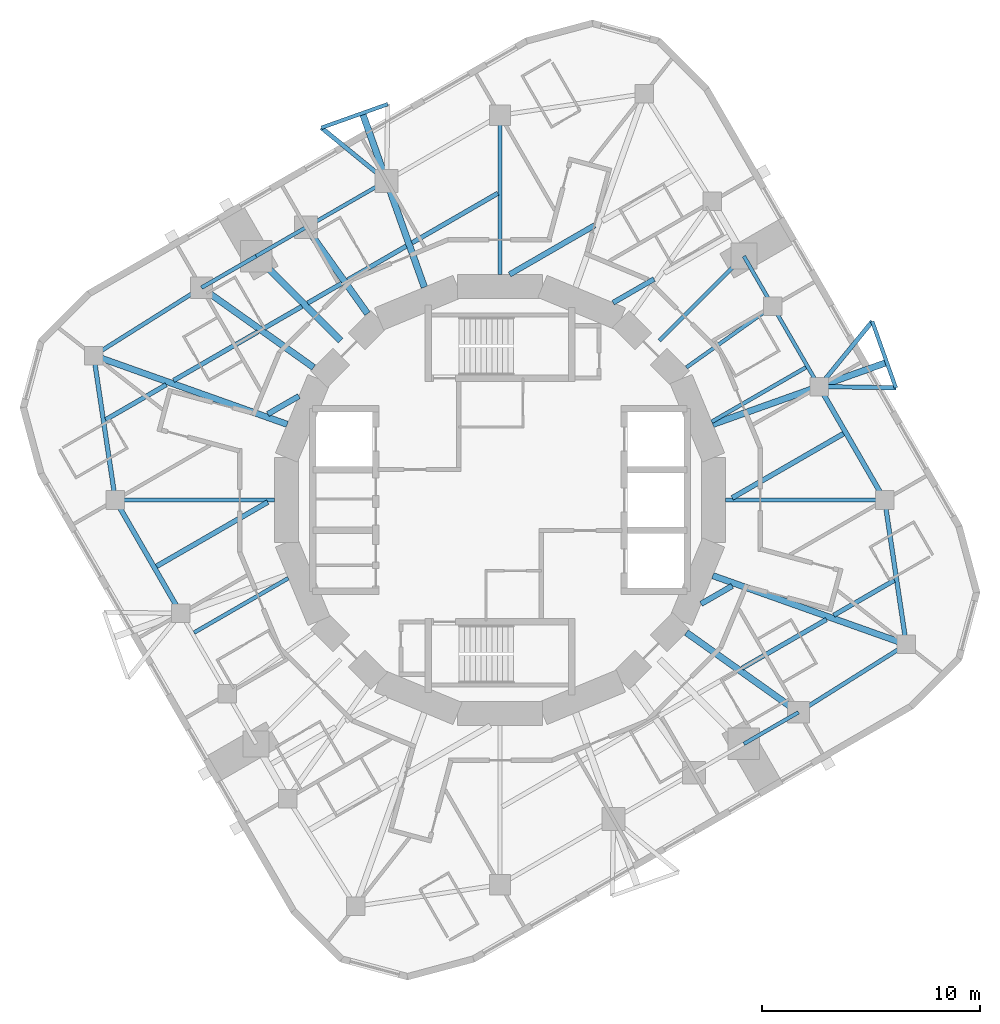
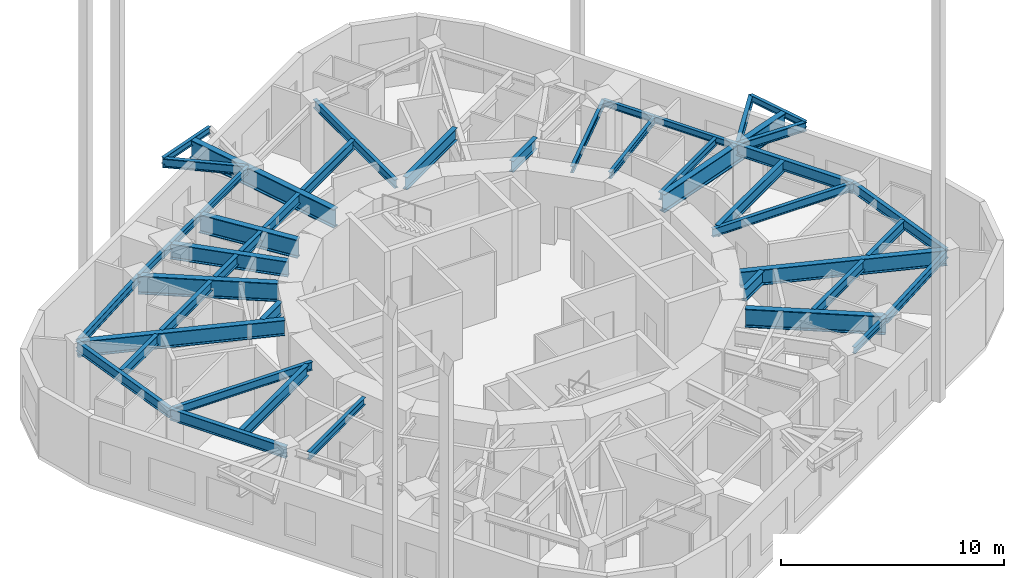
# One storey, part 2 of 10: 46 beams.
"""IFC4 building model written with IfcOpenShell, lengths in metres."""

from ifc_helpers import new_model, si_unit, direction, frame, origin, origin_2d, place, context, subcontext, project, spatial, i_section, extrude, material, material_profile, profile_set, type_object, element, save


model = new_model("IFC4")

# Units and contexts
model_context = context("Model", 3, precision=1e-05, world=origin(), true_north=direction((0.0, 1.0)))
body_context = subcontext(model_context, "Body", "Model", "MODEL_VIEW")
ifc_project = project(units=[si_unit("LENGTHUNIT", "METRE"), si_unit("AREAUNIT", "SQUARE_METRE"), si_unit("VOLUMEUNIT", "CUBIC_METRE"), si_unit("PLANEANGLEUNIT", "RADIAN"), si_unit("MASSUNIT", "GRAM", prefix="KILO")], contexts=[model_context])

# Site, building, storey
site_placement = place(None, origin())
site = spatial("IfcSite", under=ifc_project, at=site_placement, CompositionType="ELEMENT")
building_placement = place(site_placement, origin())
building = spatial("IfcBuilding", under=site, at=building_placement, Name="Nakasero Lantern House", CompositionType="ELEMENT")
storey_placement = place(building_placement, frame((0.0, 0.0, 223.10009765625)))
storey = spatial("IfcBuildingStorey", under=building, at=storey_placement, Name="L54", CompositionType="ELEMENT", Elevation=223.10009765625)

# Beams
ifc_material_1 = material(Name="Steel S355", Category="steel")
ifc_material_profile_1 = material_profile(ifc_material_1, i_section(OverallWidth=0.199462890625, OverallDepth=0.491943359375, WebThickness=0.01806640625, FlangeThickness=0.031982421875, FilletRadius=0.01025390625, at=origin_2d()), Name="UB 457x191x161")
ifc_profile_set_1 = profile_set([ifc_material_profile_1], Name="Steel S355")
beam_type_1 = type_object("IfcBeamType", Name="Balcony splay beam UB 457x191x161", PredefinedType="BEAM", material=ifc_profile_set_1)
beam_1_placement = place(storey_placement, frame((14.657958984375, 5.211669921875, 3.40380859375), z_axis=(0.632127727159, 0.774864205236, 0.0), x_axis=(-0.774864205236, 0.632127727159, 0.0)))
element("IfcBeam", 1, at=beam_1_placement, inside=storey, type_object=beam_type_1, Name="Balcony splay beam L55 B6-C04A", PredefinedType="BEAM", context=body_context, shape_type="SweptSolid", body=[
    extrude(i_section(OverallWidth=0.199462890625, OverallDepth=0.491943359375, WebThickness=0.01806640625, FlangeThickness=0.031982421875, FilletRadius=0.01025390625, at=origin_2d()), origin(), (0.0, 0.0, 1.0), 3.858642578125),
])
beam_2_placement = place(storey_placement, frame((14.657958984375, 5.211669921875, 3.40380859375), z_axis=(0.99985827803, -0.016835196893, 0.0), x_axis=(0.016835196893, 0.99985827803, 0.0)))
element("IfcBeam", 2, at=beam_2_placement, inside=storey, type_object=beam_type_1, Name="Balcony splay beam L55 B6-C04B", PredefinedType="BEAM", context=body_context, shape_type="SweptSolid", body=[
    extrude(i_section(OverallWidth=0.199462890625, OverallDepth=0.491943359375, WebThickness=0.01806640625, FlangeThickness=0.031982421875, FilletRadius=0.01025390625, at=origin_2d()), origin(), (0.0, 0.0, 1.0), 3.52392578125),
])
beam_3_placement = place(storey_placement, frame((-5.211669921875, 14.657958984375, 3.40380859375), z_axis=(-0.774864205236, 0.632127727159, 0.0), x_axis=(-0.632127727159, -0.774864205236, 0.0)))
element("IfcBeam", 3, at=beam_3_placement, inside=storey, type_object=beam_type_1, Name="Balcony splay beam L55 B6-C10A", PredefinedType="BEAM", context=body_context, shape_type="SweptSolid", body=[
    extrude(i_section(OverallWidth=0.199462890625, OverallDepth=0.491943359375, WebThickness=0.01806640625, FlangeThickness=0.031982421875, FilletRadius=0.01025390625, at=origin_2d()), origin(), (0.0, 0.0, 1.0), 3.858642578125),
])
ifc_material_2 = material(Name="Steel S355", Category="steel")
ifc_material_profile_2 = material_profile(ifc_material_2, i_section(OverallWidth=0.17138671875, OverallDepth=0.35498046875, WebThickness=0.00732421875, FlangeThickness=0.011474609375, FilletRadius=0.01025390625, at=origin_2d()), Name="UB 356x171x51")
ifc_profile_set_2 = profile_set([ifc_material_profile_2], Name="Steel S355")
beam_type_2 = type_object("IfcBeamType", Name="Balcony tie beam UB 356x171x51", PredefinedType="BEAM", material=ifc_profile_set_2)
for number, where, z_axis, x_axis, name in (
    (4, (17.09716796875, 8.20166015625, 3.472412109375), (0.335017108852, -0.942212044487, 0.0), (0.942212044487, 0.335017108852, 0.0), "Balcony tie beam L55 B6-C04"),
    (5, (-8.20166015625, 17.09716796875, 3.472412109375), (0.942212044487, 0.335017108852, 0.0), (-0.335017108852, 0.942212044487, 0.0), "Balcony tie beam L55 B6-C10"),
):
    element("IfcBeam", number, at=place(storey_placement, frame(where, z_axis=z_axis, x_axis=x_axis)), inside=storey, type_object=beam_type_2, Name=name, PredefinedType="BEAM", context=body_context, shape_type="SweptSolid", body=[
        extrude(i_section(OverallWidth=0.17138671875, OverallDepth=0.35498046875, WebThickness=0.00732421875, FlangeThickness=0.011474609375, FilletRadius=0.01025390625, at=origin_2d()), origin(), (0.0, 0.0, 1.0), 3.236328125),
    ])
ifc_material_3 = material(Name="Steel S355", Category="steel")
ifc_material_profile_3 = material_profile(ifc_material_3, i_section(OverallWidth=0.177978515625, OverallDepth=0.406494140625, WebThickness=0.0078125, FlangeThickness=0.0126953125, FilletRadius=0.01025390625, at=origin_2d()), Name="UB 406x178x60")
ifc_profile_set_3 = profile_set([ifc_material_profile_3], Name="Steel S355")
beam_type_3 = type_object("IfcBeamType", Name="Infill beam UB 406x178x60", PredefinedType="JOIST", material=ifc_profile_set_3)
for number, where, z_axis, x_axis, name in (
    (6, (9.72314453125, 3.5927734375, 3.44677734375), (0.866018808352, 0.500011423449, 0.0), (-0.500011423449, 0.866018808352, 0.0), "Infill beam L55 06.1"),
    (7, (-14.051025390625, -6.091552734375, 3.44677734375), (0.866018808352, 0.500011423449, 0.0), (-0.500011423449, 0.866018808352, 0.0), "Infill beam L55 07.1"),
):
    element("IfcBeam", number, at=place(storey_placement, frame(where, z_axis=z_axis, x_axis=x_axis)), inside=storey, type_object=beam_type_3, Name=name, PredefinedType="JOIST", context=body_context, shape_type="SweptSolid", body=[
        extrude(i_section(OverallWidth=0.177978515625, OverallDepth=0.406494140625, WebThickness=0.0078125, FlangeThickness=0.0126953125, FilletRadius=0.01025390625, at=origin_2d()), origin(), (0.0, 0.0, 1.0), 4.99755859375),
    ])
ifc_material_4 = material(Name="Steel S355", Category="steel")
ifc_material_profile_4 = material_profile(ifc_material_4, i_section(OverallWidth=0.2099609375, OverallDepth=0.53662109375, WebThickness=0.0107421875, FlangeThickness=0.017333984375, FilletRadius=0.0126953125, at=origin_2d()), Name="UB 533x210x101")
ifc_profile_set_4 = profile_set([ifc_material_profile_4], Name="Steel S355")
beam_type_4 = type_object("IfcBeamType", Name="Infill beam UB 533x210x101", PredefinedType="JOIST", material=ifc_profile_set_4)
beam_4_placement = place(storey_placement, frame((11.1220703125, -7.7236328125, 3.381591796875), z_axis=(0.866034716616, 0.499983869355, 0.0), x_axis=(-0.499983869355, 0.866034716616, 0.0)))
element("IfcBeam", 8, at=beam_4_placement, inside=storey, type_object=beam_type_4, Name="Infill beam L55 03.5", PredefinedType="JOIST", context=body_context, shape_type="SweptSolid", body=[
    extrude(i_section(OverallWidth=0.2099609375, OverallDepth=0.53662109375, WebThickness=0.0107421875, FlangeThickness=0.017333984375, FilletRadius=0.0126953125, at=origin_2d()), origin(), (0.0, 0.0, 1.0), 4.473388671875),
])
for number, where, z_axis, x_axis, name in (
    (9, (15.32861328125, -5.294921875, 3.381591796875), (0.866033858845, 0.49998535512, 0.0), (-0.49998535512, 0.866033858845, 0.0), "Infill beam L55 03.6"),
    (10, (-18.11328125, 3.687255859375, 3.381591796875), (0.866033858845, 0.49998535512, 0.0), (-0.49998535512, 0.866033858845, 0.0), "Infill beam L55 10.1"),
):
    element("IfcBeam", number, at=place(storey_placement, frame(where, z_axis=z_axis, x_axis=x_axis)), inside=storey, type_object=beam_type_4, Name=name, PredefinedType="JOIST", context=body_context, shape_type="SweptSolid", body=[
        extrude(i_section(OverallWidth=0.2099609375, OverallDepth=0.53662109375, WebThickness=0.0107421875, FlangeThickness=0.017333984375, FilletRadius=0.0126953125, at=origin_2d()), origin(), (0.0, 0.0, 1.0), 3.21533203125),
    ])
beam_5_placement = place(storey_placement, frame((-14.99609375, 5.487060546875, 3.381591796875), z_axis=(0.866018397847, 0.500012134443, 0.0), x_axis=(-0.500012134443, 0.866018397847, 0.0)))
element("IfcBeam", 11, at=beam_5_placement, inside=storey, type_object=beam_type_4, Name="Infill beam L55 10.2", PredefinedType="JOIST", context=body_context, shape_type="SweptSolid", body=[
    extrude(i_section(OverallWidth=0.2099609375, OverallDepth=0.53662109375, WebThickness=0.0107421875, FlangeThickness=0.017333984375, FilletRadius=0.0126953125, at=origin_2d()), origin(), (0.0, 0.0, 1.0), 4.474609375),
])
beam_6_placement = place(storey_placement, frame((-10.83544921875, 7.88916015625, 3.381591796875), z_axis=(0.866039626416, 0.499975364871, 0.0), x_axis=(-0.499975364871, 0.866039626416, 0.0)))
element("IfcBeam", 12, at=beam_6_placement, inside=storey, type_object=beam_type_4, Name="Infill beam L55 10.3", PredefinedType="JOIST", context=body_context, shape_type="SweptSolid", body=[
    extrude(i_section(OverallWidth=0.2099609375, OverallDepth=0.53662109375, WebThickness=0.0107421875, FlangeThickness=0.017333984375, FilletRadius=0.0126953125, at=origin_2d()), origin(), (0.0, 0.0, 1.0), 2.00537109375),
])
beam_7_placement = place(storey_placement, frame((-8.83642578125, 9.043212890625, 3.381591796875), z_axis=(0.865977542148, 0.500082889625, 0.0), x_axis=(-0.500082889625, 0.865977542148, 0.0)))
element("IfcBeam", 13, at=beam_7_placement, inside=storey, type_object=beam_type_4, Name="Infill beam L55 10.4", PredefinedType="JOIST", context=body_context, shape_type="SweptSolid", body=[
    extrude(i_section(OverallWidth=0.2099609375, OverallDepth=0.53662109375, WebThickness=0.0107421875, FlangeThickness=0.017333984375, FilletRadius=0.0126953125, at=origin_2d()), origin(), (0.0, 0.0, 1.0), 1.817626953125),
])
beam_8_placement = place(storey_placement, frame((-6.999755859375, 10.103759765625, 3.381591796875), z_axis=(0.866022192502, 0.500005562063, 0.0), x_axis=(-0.500005562063, 0.866022192502, 0.0)))
element("IfcBeam", 14, at=beam_8_placement, inside=storey, type_object=beam_type_4, Name="Infill beam L55 10.5", PredefinedType="JOIST", context=body_context, shape_type="SweptSolid", body=[
    extrude(i_section(OverallWidth=0.2099609375, OverallDepth=0.53662109375, WebThickness=0.0107421875, FlangeThickness=0.017333984375, FilletRadius=0.0126953125, at=origin_2d()), origin(), (0.0, 0.0, 1.0), 3.1103515625),
])
beam_9_placement = place(storey_placement, frame((-4.039306640625, 11.81298828125, 3.381591796875), z_axis=(0.866023985275, 0.500002456923, 0.0), x_axis=(-0.500002456923, 0.866023985275, 0.0)))
element("IfcBeam", 15, at=beam_9_placement, inside=storey, type_object=beam_type_4, Name="Infill beam L55 10.6", PredefinedType="JOIST", context=body_context, shape_type="SweptSolid", body=[
    extrude(i_section(OverallWidth=0.2099609375, OverallDepth=0.53662109375, WebThickness=0.0107421875, FlangeThickness=0.017333984375, FilletRadius=0.0126953125, at=origin_2d()), origin(), (0.0, 0.0, 1.0), 4.5537109375),
])
ifc_material_5 = material(Name="Steel S355", Category="steel")
ifc_material_profile_5 = material_profile(ifc_material_5, i_section(OverallWidth=0.22900390625, OverallDepth=0.6123046875, WebThickness=0.011962890625, FlangeThickness=0.01953125, FilletRadius=0.0126953125, at=origin_2d()), Name="UB 610x229x125")
ifc_profile_set_5 = profile_set([ifc_material_profile_5], Name="Steel S355")
beam_type_5 = type_object("IfcBeamType", Name="Infill beam UB 610x229x125", PredefinedType="JOIST", material=ifc_profile_set_5)
for number, where, z_axis, x_axis, name in (
    (16, (10.66455078125, 0.094970703125, 3.34375), (0.866025091885, 0.500000540226, 0.0), (-0.500000540226, 0.866025091885, 0.0), "Infill beam L55 05.3"),
    (17, (-15.776123046875, -3.046142578125, 3.34375), (0.866025091885, 0.500000540226, 0.0), (-0.500000540226, 0.866025091885, 0.0), "Infill beam L55 08.1"),
):
    element("IfcBeam", number, at=place(storey_placement, frame(where, z_axis=z_axis, x_axis=x_axis)), inside=storey, type_object=beam_type_5, Name=name, PredefinedType="JOIST", context=body_context, shape_type="SweptSolid", body=[
        extrude(i_section(OverallWidth=0.22900390625, OverallDepth=0.6123046875, WebThickness=0.011962890625, FlangeThickness=0.01953125, FilletRadius=0.0126953125, at=origin_2d()), origin(), (0.0, 0.0, 1.0), 5.90234375),
    ])
beam_10_placement = place(storey_placement, frame((5.19287109375, 9.060302734375, 3.34375), z_axis=(0.866043427695, 0.499968780372, 0.0), x_axis=(-0.499968780372, 0.866043427695, 0.0)))
element("IfcBeam", 18, at=beam_10_placement, inside=storey, type_object=beam_type_5, Name="Infill beam L55 08.2", PredefinedType="JOIST", context=body_context, shape_type="SweptSolid", body=[
    extrude(i_section(OverallWidth=0.22900390625, OverallDepth=0.6123046875, WebThickness=0.011962890625, FlangeThickness=0.01953125, FilletRadius=0.0126953125, at=origin_2d()), origin(), (0.0, 0.0, 1.0), 2.173583984375),
])
ifc_material_6 = material(Name="Steel S355", Category="steel")
ifc_material_profile_6 = material_profile(ifc_material_6, i_section(OverallWidth=0.253662109375, OverallDepth=0.68359375, WebThickness=0.012451171875, FlangeThickness=0.01904296875, FilletRadius=0.01513671875, at=origin_2d()), Name="UB 686x254x140")
ifc_profile_set_6 = profile_set([ifc_material_profile_6], Name="Steel S355")
beam_type_6 = type_object("IfcBeamType", Name="Infill beam UB 686x254x140", PredefinedType="JOIST", material=ifc_profile_set_6)
for number, where, z_axis, x_axis, name in (
    (19, (9.234619140625, -4.77197265625, 3.30810546875), (0.866050114754, 0.499957196903, 0.0), (-0.499957196903, 0.866050114754, 0.0), "Infill beam L55 04.3"),
    (20, (-10.6640625, 3.94677734375, 3.30810546875), (0.866050114754, 0.499957196903, 0.0), (-0.499957196903, 0.866050114754, 0.0), "Infill beam L55 09.1"),
):
    element("IfcBeam", number, at=place(storey_placement, frame(where, z_axis=z_axis, x_axis=x_axis)), inside=storey, type_object=beam_type_6, Name=name, PredefinedType="JOIST", context=body_context, shape_type="SweptSolid", body=[
        extrude(i_section(OverallWidth=0.253662109375, OverallDepth=0.68359375, WebThickness=0.012451171875, FlangeThickness=0.01904296875, FilletRadius=0.01513671875, at=origin_2d()), origin(), (0.0, 0.0, 1.0), 1.650634765625),
    ])
beam_11_placement = place(storey_placement, frame((0.4404296875, 10.35791015625, 3.30810546875), z_axis=(0.866030378168, 0.499991384017, 0.0), x_axis=(-0.499991384017, 0.866030378168, 0.0)))
element("IfcBeam", 21, at=beam_11_placement, inside=storey, type_object=beam_type_6, Name="Infill beam L55 09.2", PredefinedType="JOIST", context=body_context, shape_type="SweptSolid", body=[
    extrude(i_section(OverallWidth=0.253662109375, OverallDepth=0.68359375, WebThickness=0.012451171875, FlangeThickness=0.01904296875, FilletRadius=0.01513671875, at=origin_2d()), origin(), (0.0, 0.0, 1.0), 4.50537109375),
])
ifc_material_7 = material(Name="Steel S355", Category="steel")
ifc_material_profile_7 = material_profile(ifc_material_7, i_section(OverallWidth=0.300048828125, OverallDepth=1.0, WebThickness=0.01904296875, FlangeThickness=0.035888671875, FilletRadius=0.030029296875, at=origin_2d()), Name="UB 1016x305x314")
ifc_profile_set_7 = profile_set([ifc_material_profile_7], Name="Steel S355")
beam_type_7 = type_object("IfcBeamType", Name="Primary beam UB 1016x305x314, span 6 to 9 m", PredefinedType="BEAM", material=ifc_profile_set_7)
beam_12_placement = place(storey_placement, frame((-13.711669921875, 9.75048828125, 3.14990234375), z_axis=(0.814968702178, -0.579504973637, 0.0), x_axis=(0.579504973637, 0.814968702178, 0.0)))
element("IfcBeam", 22, at=beam_12_placement, inside=storey, type_object=beam_type_7, Name="Primary beam L55 B6-C13", PredefinedType="BEAM", context=body_context, shape_type="SweptSolid", body=[
    extrude(i_section(OverallWidth=0.300048828125, OverallDepth=1.0, WebThickness=0.01904296875, FlangeThickness=0.035888671875, FilletRadius=0.030029296875, at=origin_2d()), origin(), (0.0, 0.0, 1.0), 6.320556640625),
])
ifc_material_8 = material(Name="Steel S355", Category="steel")
ifc_material_profile_8 = material_profile(ifc_material_8, i_section(OverallWidth=0.302001953125, OverallDepth=1.008056640625, WebThickness=0.02099609375, FlangeThickness=0.0400390625, FilletRadius=0.030029296875, at=origin_2d()), Name="UB 1016x305x349")
ifc_profile_set_8 = profile_set([ifc_material_profile_8], Name="Steel S355")
beam_type_8 = type_object("IfcBeamType", Name="Primary beam UB 1016x305x349, span 6 to 9 m", PredefinedType="BEAM", material=ifc_profile_set_8)
beam_13_placement = place(storey_placement, frame((13.711669921875, -9.75048828125, 3.145751953125), z_axis=(-0.814968702178, 0.579504973637, 0.0), x_axis=(-0.579504973637, -0.814968702178, 0.0)))
element("IfcBeam", 23, at=beam_13_placement, inside=storey, type_object=beam_type_8, Name="Primary beam L55 B6-C01", PredefinedType="BEAM", context=body_context, shape_type="SweptSolid", body=[
    extrude(i_section(OverallWidth=0.302001953125, OverallDepth=1.008056640625, WebThickness=0.02099609375, FlangeThickness=0.0400390625, FilletRadius=0.030029296875, at=origin_2d()), origin(), (0.0, 0.0, 1.0), 6.320556640625),
])
ifc_material_9 = material(Name="Steel S355", Category="steel")
ifc_material_profile_9 = material_profile(ifc_material_9, i_section(OverallWidth=0.302001953125, OverallDepth=1.008056640625, WebThickness=0.02099609375, FlangeThickness=0.0400390625, FilletRadius=0.030029296875, at=origin_2d()), Name="UB 1016x305x349")
ifc_profile_set_9 = profile_set([ifc_material_profile_9], Name="Steel S355")
beam_type_9 = type_object("IfcBeamType", Name="Primary beam UB 1016x305x349, span to 6 m", PredefinedType="BEAM", material=ifc_profile_set_9)
beam_14_placement = place(storey_placement, frame((17.767333984375, 6.317138671875, 3.145751953125), z_axis=(-0.94222457875, -0.33498185503, 0.0), x_axis=(0.33498185503, -0.94222457875, 0.0)))
element("IfcBeam", 24, at=beam_14_placement, inside=storey, type_object=beam_type_9, Name="Primary beam L55 B6-C04", PredefinedType="BEAM", context=body_context, shape_type="SweptSolid", body=[
    extrude(i_section(OverallWidth=0.302001953125, OverallDepth=1.008056640625, WebThickness=0.02099609375, FlangeThickness=0.0400390625, FilletRadius=0.030029296875, at=origin_2d()), origin(), (0.0, 0.0, 1.0), 8.485595703125),
])
beam_15_placement = place(storey_placement, frame((-8.906494140625, 12.524658203125, 3.145751953125), z_axis=(0.579513415446, -0.814962699342, 0.0), x_axis=(0.814962699342, 0.579513415446, 0.0)))
element("IfcBeam", 25, at=beam_15_placement, inside=storey, type_object=beam_type_9, Name="Primary beam L55 B6-C11", PredefinedType="BEAM", context=body_context, shape_type="SweptSolid", body=[
    extrude(i_section(OverallWidth=0.302001953125, OverallDepth=1.008056640625, WebThickness=0.02099609375, FlangeThickness=0.0400390625, FilletRadius=0.030029296875, at=origin_2d()), origin(), (0.0, 0.0, 1.0), 4.8642578125),
])
ifc_material_10 = material(Name="Steel S355", Category="steel")
ifc_material_profile_10 = material_profile(ifc_material_10, i_section(OverallWidth=0.302978515625, OverallDepth=1.015869140625, WebThickness=0.0244140625, FlangeThickness=0.0439453125, FilletRadius=0.030029296875, at=origin_2d()), Name="UB 1016x305x393")
ifc_profile_set_10 = profile_set([ifc_material_profile_10], Name="Steel S355")
beam_type_10 = type_object("IfcBeamType", Name="Primary beam UB 1016x305x393, span to 6 m", PredefinedType="BEAM", material=ifc_profile_set_10)
beam_16_placement = place(storey_placement, frame((-6.317138671875, 17.767333984375, 3.141845703125), z_axis=(0.33498185503, -0.94222457875, 0.0), x_axis=(0.94222457875, 0.33498185503, 0.0)))
element("IfcBeam", 26, at=beam_16_placement, inside=storey, type_object=beam_type_10, Name="Primary beam L55 B6-C10", PredefinedType="BEAM", context=body_context, shape_type="SweptSolid", body=[
    extrude(i_section(OverallWidth=0.302978515625, OverallDepth=1.015869140625, WebThickness=0.0244140625, FlangeThickness=0.0439453125, FilletRadius=0.030029296875, at=origin_2d()), origin(), (0.0, 0.0, 1.0), 8.485595703125),
])
ifc_material_11 = material(Name="Steel S355", Category="steel")
ifc_material_profile_11 = material_profile(ifc_material_11, i_section(OverallWidth=0.17138671875, OverallDepth=0.35498046875, WebThickness=0.00732421875, FlangeThickness=0.011474609375, FilletRadius=0.01025390625, at=origin_2d()), Name="UB 356x171x51")
ifc_profile_set_11 = profile_set([ifc_material_profile_11], Name="Steel S355")
beam_type_11 = type_object("IfcBeamType", Name="Primary beam UB 356x171x51, span to 6 m", PredefinedType="BEAM", material=ifc_profile_set_11)
beam_17_placement = place(storey_placement, frame((12.524658203125, 8.906494140625, 3.472412109375), z_axis=(-0.814962699342, -0.579513415446, 0.0), x_axis=(0.579513415446, -0.814962699342, 0.0)))
element("IfcBeam", 27, at=beam_17_placement, inside=storey, type_object=beam_type_11, Name="Primary beam L55 B6-C05", PredefinedType="BEAM", context=body_context, shape_type="SweptSolid", body=[
    extrude(i_section(OverallWidth=0.17138671875, OverallDepth=0.35498046875, WebThickness=0.00732421875, FlangeThickness=0.011474609375, FilletRadius=0.01025390625, at=origin_2d()), origin(), (0.0, 0.0, 1.0), 4.8642578125),
])
beam_18_placement = place(storey_placement, frame((11.200439453125, 11.200439453125, 3.472412109375), z_axis=(-0.707106781187, -0.707106781187, 0.0), x_axis=(0.707106781187, -0.707106781187, 0.0)))
element("IfcBeam", 28, at=beam_18_placement, inside=storey, type_object=beam_type_11, Name="Primary beam L55 B6-C06", PredefinedType="BEAM", context=body_context, shape_type="SweptSolid", body=[
    extrude(i_section(OverallWidth=0.17138671875, OverallDepth=0.35498046875, WebThickness=0.00732421875, FlangeThickness=0.011474609375, FilletRadius=0.01025390625, at=origin_2d()), origin(), (0.0, 0.0, 1.0), 5.481689453125),
])
ifc_material_12 = material(Name="Steel S355", Category="steel")
ifc_material_profile_12 = material_profile(ifc_material_12, i_section(OverallWidth=0.18994140625, OverallDepth=0.453369140625, WebThickness=0.008544921875, FlangeThickness=0.0126953125, FilletRadius=0.01025390625, at=origin_2d()), Name="UB 457x191x67")
ifc_profile_set_12 = profile_set([ifc_material_profile_12], Name="Steel S355")
beam_type_12 = type_object("IfcBeamType", Name="Primary beam UB 457x191x67, span 6 to 9 m", PredefinedType="BEAM", material=ifc_profile_set_12)
for number, where, z_axis, x_axis, name in (
    (29, (17.6669921875, 0.0, 3.423095703125), (-1.0, 0.0, 0.0), (0.0, -1.0, 0.0), "Primary beam L55 B6-C03"),
    (30, (-17.6669921875, 0.0, 3.423095703125), (1.0, 0.0, 0.0), (0.0, 1.0, 0.0), "Primary beam L55 B6-C15"),
):
    element("IfcBeam", number, at=place(storey_placement, frame(where, z_axis=z_axis, x_axis=x_axis)), inside=storey, type_object=beam_type_12, Name=name, PredefinedType="BEAM", context=body_context, shape_type="SweptSolid", body=[
        extrude(i_section(OverallWidth=0.18994140625, OverallDepth=0.453369140625, WebThickness=0.008544921875, FlangeThickness=0.0126953125, FilletRadius=0.01025390625, at=origin_2d()), origin(), (0.0, 0.0, 1.0), 7.30908203125),
    ])
ifc_material_13 = material(Name="Steel S355", Category="steel")
ifc_material_profile_13 = material_profile(ifc_material_13, i_section(OverallWidth=0.19140625, OverallDepth=0.4599609375, WebThickness=0.010009765625, FlangeThickness=0.01611328125, FilletRadius=0.01025390625, at=origin_2d()), Name="UB 457x191x82")
ifc_profile_set_13 = profile_set([ifc_material_profile_13], Name="Steel S355")
beam_type_13 = type_object("IfcBeamType", Name="Primary beam UB 457x191x82, span 6 to 9 m", PredefinedType="BEAM", material=ifc_profile_set_13)
beam_19_placement = place(storey_placement, frame((0.0, 17.6669921875, 3.419921875), z_axis=(0.0, -1.0, 0.0), x_axis=(1.0, 0.0, 0.0)))
element("IfcBeam", 31, at=beam_19_placement, inside=storey, type_object=beam_type_13, Name="Primary beam L55 B6-C09", PredefinedType="BEAM", context=body_context, shape_type="SweptSolid", body=[
    extrude(i_section(OverallWidth=0.19140625, OverallDepth=0.4599609375, WebThickness=0.010009765625, FlangeThickness=0.01611328125, FilletRadius=0.01025390625, at=origin_2d()), origin(), (0.0, 0.0, 1.0), 7.30908203125),
])
ifc_material_14 = material(Name="Steel S355", Category="steel")
ifc_material_profile_14 = material_profile(ifc_material_14, i_section(OverallWidth=0.29248046875, OverallDepth=0.8408203125, WebThickness=0.0146484375, FlangeThickness=0.02685546875, FilletRadius=0.017822265625, at=origin_2d()), Name="UB 838x292x194")
ifc_profile_set_14 = profile_set([ifc_material_profile_14], Name="Steel S355")
beam_type_14 = type_object("IfcBeamType", Name="Primary beam UB 838x292x194, span 9 to 12 m", PredefinedType="BEAM", material=ifc_profile_set_14)
for number, where, z_axis, x_axis, name in (
    (32, (18.661376953125, -6.63525390625, 3.2294921875), (-0.942215779364, 0.335006604588, 0.0), (-0.335006604588, -0.942215779364, 0.0), "Primary beam L55 B6-C02"),
    (33, (-18.661376953125, 6.63525390625, 3.2294921875), (0.942215779364, -0.335006604588, 0.0), (0.335006604588, 0.942215779364, 0.0), "Primary beam L55 B6-C14"),
):
    element("IfcBeam", number, at=place(storey_placement, frame(where, z_axis=z_axis, x_axis=x_axis)), inside=storey, type_object=beam_type_14, Name=name, PredefinedType="BEAM", context=body_context, shape_type="SweptSolid", body=[
        extrude(i_section(OverallWidth=0.29248046875, OverallDepth=0.8408203125, WebThickness=0.0146484375, FlangeThickness=0.02685546875, FilletRadius=0.017822265625, at=origin_2d()), origin(), (0.0, 0.0, 1.0), 9.4345703125),
    ])
ifc_material_15 = material(Name="Steel S355", Category="steel")
ifc_material_profile_15 = material_profile(ifc_material_15, i_section(OverallWidth=0.29248046875, OverallDepth=0.8408203125, WebThickness=0.0146484375, FlangeThickness=0.02685546875, FilletRadius=0.017822265625, at=origin_2d()), Name="UB 838x292x194")
ifc_profile_set_15 = profile_set([ifc_material_profile_15], Name="Steel S355")
beam_type_15 = type_object("IfcBeamType", Name="Primary beam UB 838x292x194, span to 6 m", PredefinedType="BEAM", material=ifc_profile_set_15)
beam_20_placement = place(storey_placement, frame((-11.200439453125, 11.200439453125, 3.2294921875), z_axis=(0.707106781187, -0.707106781187, 0.0), x_axis=(0.707106781187, 0.707106781187, 0.0)))
element("IfcBeam", 34, at=beam_20_placement, inside=storey, type_object=beam_type_15, Name="Primary beam L55 B6-C12", PredefinedType="BEAM", context=body_context, shape_type="SweptSolid", body=[
    extrude(i_section(OverallWidth=0.29248046875, OverallDepth=0.8408203125, WebThickness=0.0146484375, FlangeThickness=0.02685546875, FilletRadius=0.017822265625, at=origin_2d()), origin(), (0.0, 0.0, 1.0), 5.481689453125),
])
ifc_material_16 = material(Name="Steel S355", Category="steel")
ifc_material_profile_16 = material_profile(ifc_material_16, i_section(OverallWidth=0.17138671875, OverallDepth=0.35498046875, WebThickness=0.00732421875, FlangeThickness=0.011474609375, FilletRadius=0.01025390625, at=origin_2d()), Name="UB 356x171x51")
ifc_profile_set_16 = profile_set([ifc_material_profile_16], Name="Steel S355")
beam_type_16 = type_object("IfcBeamType", Name="Ring beam UB 356x171x51", PredefinedType="BEAM", material=ifc_profile_set_16)
beam_21_placement = place(storey_placement, frame((14.657958984375, 5.211669921875, 3.472412109375), z_axis=(-0.500016352561, 0.866015962423, 0.0), x_axis=(-0.866015962423, -0.500016352561, 0.0)))
element("IfcBeam", 35, at=beam_21_placement, inside=storey, type_object=beam_type_16, Name="Ring beam L55 B6-C04", PredefinedType="BEAM", context=body_context, shape_type="SweptSolid", body=[
    extrude(i_section(OverallWidth=0.17138671875, OverallDepth=0.35498046875, WebThickness=0.00732421875, FlangeThickness=0.011474609375, FilletRadius=0.01025390625, at=origin_2d()), origin(), (0.0, 0.0, 1.0), 4.266357421875),
])
beam_22_placement = place(storey_placement, frame((12.524658203125, 8.906494140625, 3.472412109375), z_axis=(-0.499945861543, 0.866056658381, 0.0), x_axis=(-0.866056658381, -0.499945861543, 0.0)))
element("IfcBeam", 36, at=beam_22_placement, inside=storey, type_object=beam_type_16, Name="Ring beam L55 B6-C05", PredefinedType="BEAM", context=body_context, shape_type="SweptSolid", body=[
    extrude(i_section(OverallWidth=0.17138671875, OverallDepth=0.35498046875, WebThickness=0.00732421875, FlangeThickness=0.011474609375, FilletRadius=0.01025390625, at=origin_2d()), origin(), (0.0, 0.0, 1.0), 2.648681640625),
])
beam_23_placement = place(storey_placement, frame((-5.211669921875, 14.657958984375, 3.472412109375), z_axis=(-0.866015962423, -0.500016352561, 0.0), x_axis=(0.500016352561, -0.866015962423, 0.0)))
element("IfcBeam", 37, at=beam_23_placement, inside=storey, type_object=beam_type_16, Name="Ring beam L55 B6-C10", PredefinedType="BEAM", context=body_context, shape_type="SweptSolid", body=[
    extrude(i_section(OverallWidth=0.17138671875, OverallDepth=0.35498046875, WebThickness=0.00732421875, FlangeThickness=0.011474609375, FilletRadius=0.01025390625, at=origin_2d()), origin(), (0.0, 0.0, 1.0), 4.266357421875),
])
beam_24_placement = place(storey_placement, frame((-8.906494140625, 12.524658203125, 3.472412109375), z_axis=(-0.866056658381, -0.499945861543, 0.0), x_axis=(0.499945861543, -0.866056658381, 0.0)))
element("IfcBeam", 38, at=beam_24_placement, inside=storey, type_object=beam_type_16, Name="Ring beam L55 B6-C11", PredefinedType="BEAM", context=body_context, shape_type="SweptSolid", body=[
    extrude(i_section(OverallWidth=0.17138671875, OverallDepth=0.35498046875, WebThickness=0.00732421875, FlangeThickness=0.011474609375, FilletRadius=0.01025390625, at=origin_2d()), origin(), (0.0, 0.0, 1.0), 2.648681640625),
])
beam_25_placement = place(storey_placement, frame((11.200439453125, -11.200439453125, 3.472412109375), z_axis=(0.866011727401, 0.500023687443, 0.0), x_axis=(-0.500023687443, 0.866011727401, 0.0)))
element("IfcBeam", 39, at=beam_25_placement, inside=storey, type_object=beam_type_16, Name="Ring beam L55 B6-C24", PredefinedType="BEAM", context=body_context, shape_type="SweptSolid", body=[
    extrude(i_section(OverallWidth=0.17138671875, OverallDepth=0.35498046875, WebThickness=0.00732421875, FlangeThickness=0.011474609375, FilletRadius=0.01025390625, at=origin_2d()), origin(), (0.0, 0.0, 1.0), 2.899658203125),
])
ifc_material_17 = material(Name="Steel S355", Category="steel")
ifc_material_profile_17 = material_profile(ifc_material_17, i_section(OverallWidth=0.177978515625, OverallDepth=0.406494140625, WebThickness=0.0078125, FlangeThickness=0.0126953125, FilletRadius=0.01025390625, at=origin_2d()), Name="UB 406x178x60")
ifc_profile_set_17 = profile_set([ifc_material_profile_17], Name="Steel S355")
beam_type_17 = type_object("IfcBeamType", Name="Ring beam UB 406x178x60", PredefinedType="BEAM", material=ifc_profile_set_17)
beam_26_placement = place(storey_placement, frame((-11.200439453125, 11.200439453125, 3.44677734375), z_axis=(-0.866011727401, -0.500023687443, 0.0), x_axis=(0.500023687443, -0.866011727401, 0.0)))
element("IfcBeam", 40, at=beam_26_placement, inside=storey, type_object=beam_type_17, Name="Ring beam L55 B6-C12", PredefinedType="BEAM", context=body_context, shape_type="SweptSolid", body=[
    extrude(i_section(OverallWidth=0.177978515625, OverallDepth=0.406494140625, WebThickness=0.0078125, FlangeThickness=0.0126953125, FilletRadius=0.01025390625, at=origin_2d()), origin(), (0.0, 0.0, 1.0), 2.899658203125),
])
ifc_material_18 = material(Name="Steel S355", Category="steel")
ifc_material_profile_18 = material_profile(ifc_material_18, i_section(OverallWidth=0.18994140625, OverallDepth=0.453369140625, WebThickness=0.008544921875, FlangeThickness=0.0126953125, FilletRadius=0.01025390625, at=origin_2d()), Name="UB 457x191x67")
ifc_profile_set_18 = profile_set([ifc_material_profile_18], Name="Steel S355")
beam_type_18 = type_object("IfcBeamType", Name="Ring beam UB 457x191x67", PredefinedType="BEAM", material=ifc_profile_set_18)
for number, where, z_axis, x_axis, name in (
    (41, (13.711669921875, -9.75048828125, 3.423095703125), (0.846329027393, 0.532660471024, 0.0), (-0.532660471024, 0.846329027393, 0.0), "Ring beam L55 B6-C01"),
    (42, (-13.711669921875, 9.75048828125, 3.423095703125), (-0.846329027393, -0.532660471024, 0.0), (0.532660471024, -0.846329027393, 0.0), "Ring beam L55 B6-C13"),
):
    element("IfcBeam", number, at=place(storey_placement, frame(where, z_axis=z_axis, x_axis=x_axis)), inside=storey, type_object=beam_type_18, Name=name, PredefinedType="BEAM", context=body_context, shape_type="SweptSolid", body=[
        extrude(i_section(OverallWidth=0.18994140625, OverallDepth=0.453369140625, WebThickness=0.008544921875, FlangeThickness=0.0126953125, FilletRadius=0.01025390625, at=origin_2d()), origin(), (0.0, 0.0, 1.0), 5.848388671875),
    ])
ifc_material_19 = material(Name="Steel S355", Category="steel")
ifc_material_profile_19 = material_profile(ifc_material_19, i_section(OverallWidth=0.2099609375, OverallDepth=0.53662109375, WebThickness=0.0107421875, FlangeThickness=0.017333984375, FilletRadius=0.0126953125, at=origin_2d()), Name="UB 533x210x101")
ifc_profile_set_19 = profile_set([ifc_material_profile_19], Name="Steel S355")
beam_type_19 = type_object("IfcBeamType", Name="Ring beam UB 533x210x101", PredefinedType="BEAM", material=ifc_profile_set_19)
for number, where, z_axis, x_axis, name in (
    (43, (18.661376953125, -6.63525390625, 3.381591796875), (-0.148208778253, 0.988956095107, 0.0), (-0.988956095107, -0.148208778253, 0.0), "Ring beam L55 B6-C02"),
    (44, (-18.661376953125, 6.63525390625, 3.381591796875), (0.148208778253, -0.988956095107, 0.0), (0.988956095107, 0.148208778253, 0.0), "Ring beam L55 B6-C14"),
):
    element("IfcBeam", number, at=place(storey_placement, frame(where, z_axis=z_axis, x_axis=x_axis)), inside=storey, type_object=beam_type_19, Name=name, PredefinedType="BEAM", context=body_context, shape_type="SweptSolid", body=[
        extrude(i_section(OverallWidth=0.2099609375, OverallDepth=0.53662109375, WebThickness=0.0107421875, FlangeThickness=0.017333984375, FilletRadius=0.0126953125, at=origin_2d()), origin(), (0.0, 0.0, 1.0), 6.70947265625),
    ])
ifc_material_20 = material(Name="Steel S355", Category="steel")
ifc_material_profile_20 = material_profile(ifc_material_20, i_section(OverallWidth=0.22900390625, OverallDepth=0.6123046875, WebThickness=0.011962890625, FlangeThickness=0.01953125, FilletRadius=0.0126953125, at=origin_2d()), Name="UB 610x229x125")
ifc_profile_set_20 = profile_set([ifc_material_profile_20], Name="Steel S355")
beam_type_20 = type_object("IfcBeamType", Name="Ring beam UB 610x229x125", PredefinedType="BEAM", material=ifc_profile_set_20)
for number, where, z_axis, x_axis, name in (
    (45, (17.6669921875, 0.0, 3.34375), (-0.50000924366, 0.866020066889, 0.0), (-0.866020066889, -0.50000924366, 0.0), "Ring beam L55 B6-C03"),
    (46, (-17.6669921875, 0.0, 3.34375), (0.50000924366, -0.866020066889, 0.0), (0.866020066889, 0.50000924366, 0.0), "Ring beam L55 B6-C15"),
):
    element("IfcBeam", number, at=place(storey_placement, frame(where, z_axis=z_axis, x_axis=x_axis)), inside=storey, type_object=beam_type_20, Name=name, PredefinedType="BEAM", context=body_context, shape_type="SweptSolid", body=[
        extrude(i_section(OverallWidth=0.22900390625, OverallDepth=0.6123046875, WebThickness=0.011962890625, FlangeThickness=0.01953125, FilletRadius=0.0126953125, at=origin_2d()), origin(), (0.0, 0.0, 1.0), 6.01806640625),
    ])

save(model, "model.ifc")
